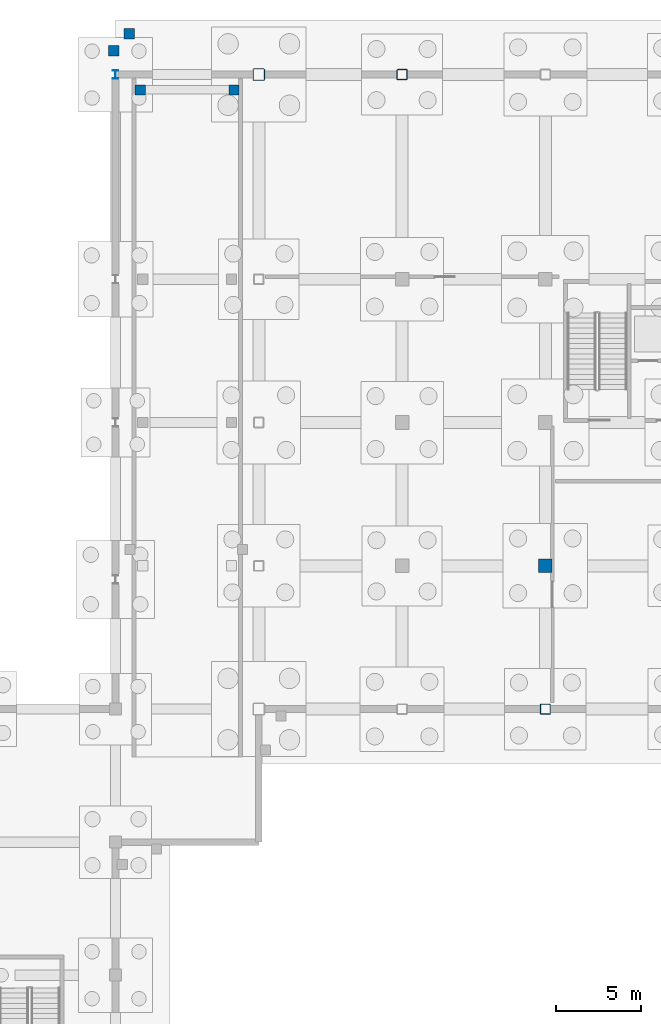
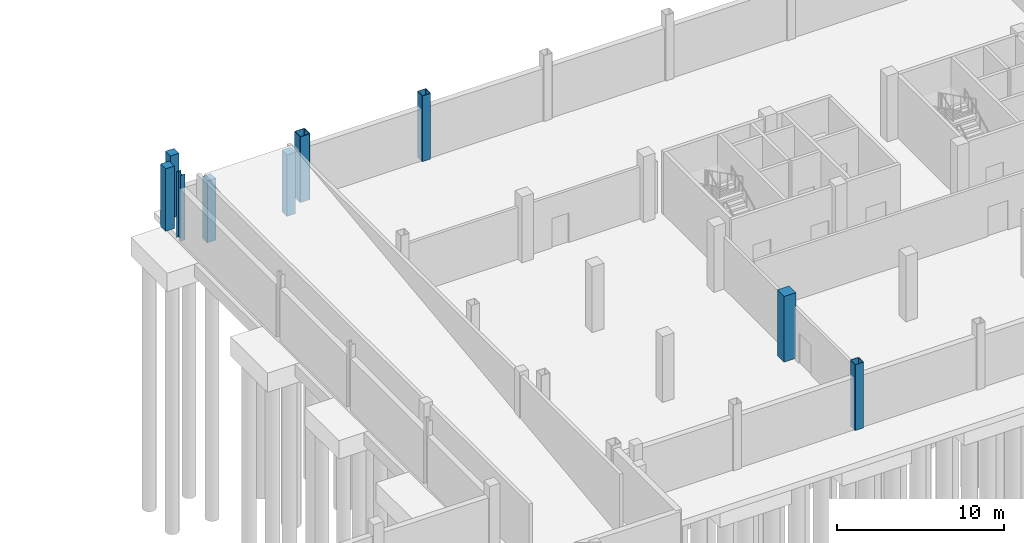
# One storey, part 27 of 44: 9 columns.
"""IFC4 building model written with IfcOpenShell, lengths in metres."""

import ifcopenshell
import ifcopenshell.guid

model = None  # the IFC model being written
_history = None  # IfcOwnerHistory: only IFC2X3 demands one
_inside = {}  # id of a spatial element -> (the spatial element, [elements in it])
_under = {}  # id of a project, library or spatial element -> (it, [spatial elements below it])
_declared = {}  # id of a project -> (the project, [libraries it declares])
_typed = {}  # id of a type object -> (the type object, [elements of that type])
_made_of = {}  # id of a material, layer set ... -> (it, [elements and type objects made of it])


def new_model(schema):
    """Start an empty IFC model of exactly this schema.

    Asked for "IFC4X3", IfcOpenShell would pick the latest addendum, in which some entities
    have other attributes; the version numbers below select the first issue.
    IFC2X3 requires an IfcOwnerHistory on every rooted entity: one is made here for all.
    """
    global model, _history
    if schema == "IFC4X3":
        model = ifcopenshell.file(schema_version=(4, 3, 0, 0))
    else:
        model = ifcopenshell.file(schema=schema)
    _inside.clear()
    _under.clear()
    _declared.clear()
    _typed.clear()
    _made_of.clear()
    _history = None
    if model.schema == "IFC2X3":
        org = make("IfcOrganization", Name="unknown")
        user = make(
            "IfcPersonAndOrganization",
            ThePerson=make("IfcPerson", FamilyName="unknown"),
            TheOrganization=org,
        )
        app = make(
            "IfcApplication",
            ApplicationDeveloper=org,
            Version="unknown",
            ApplicationFullName="unknown",
            ApplicationIdentifier="unknown",
        )
        _history = make(
            "IfcOwnerHistory",
            OwningUser=user,
            OwningApplication=app,
            ChangeAction="ADDED",
            CreationDate=0,
        )
    return model


def make(cls, **values):
    """One entity of the class cls with the attributes given. An attribute that is None is left unset."""
    return model.create_entity(
        cls, **{name: value for name, value in values.items() if value is not None}
    )


def rooted(cls, **values):
    """An entity with a GlobalId (a new one), such as an element, a storey or a relation."""
    return make(cls, GlobalId=ifcopenshell.guid.new(), OwnerHistory=_history, **values)


def si_unit(unit_type, name, prefix=None):
    """IfcSIUnit, for example si_unit("LENGTHUNIT", "METRE", prefix="MILLI")."""
    return make("IfcSIUnit", UnitType=unit_type, Prefix=prefix, Name=name)


def assignment(units):
    """IfcUnitAssignment: the units of a project."""
    return None if units is None else make("IfcUnitAssignment", Units=units)


def point(xyz):
    """IfcCartesianPoint."""
    return None if xyz is None else make("IfcCartesianPoint", Coordinates=xyz)


def direction(xyz):
    """IfcDirection."""
    return None if xyz is None else make("IfcDirection", DirectionRatios=xyz)


def frame(location, z_axis=None, x_axis=None):
    """IfcAxis2Placement3D, a coordinate frame: its origin and axes. An axis left out is left unset."""
    return make(
        "IfcAxis2Placement3D",
        Location=point(location),
        Axis=direction(z_axis),
        RefDirection=direction(x_axis),
    )


def frame_2d(location, x_axis=None):
    """IfcAxis2Placement2D, a coordinate frame in the plane: its origin and x axis."""
    return make(
        "IfcAxis2Placement2D", Location=point(location), RefDirection=direction(x_axis)
    )


def origin():
    """The frame at (0, 0, 0) with its axes left unset."""
    return frame((0.0, 0.0, 0.0))


def origin_2d():
    """The frame at (0, 0) in the plane with its x axis left unset."""
    return frame_2d((0.0, 0.0))


def place(relative_to, where):
    """IfcLocalPlacement: puts the frame where relative to a parent placement (None: the world)."""
    return make(
        "IfcLocalPlacement", PlacementRelTo=relative_to, RelativePlacement=where
    )


def context(
    kind, dimensions, precision=None, world=None, true_north=None, identifier=None
):
    """IfcGeometricRepresentationContext, for example the 3D "Model" context."""
    return make(
        "IfcGeometricRepresentationContext",
        ContextIdentifier=identifier,
        ContextType=kind,
        CoordinateSpaceDimension=dimensions,
        Precision=precision,
        WorldCoordinateSystem=world,
        TrueNorth=true_north,
    )


def subcontext(parent, identifier, kind, view, scale=None):
    """IfcGeometricRepresentationSubContext, for example "Body" below "Model"."""
    return make(
        "IfcGeometricRepresentationSubContext",
        ContextIdentifier=identifier,
        ContextType=kind,
        ParentContext=parent,
        TargetScale=scale,
        TargetView=view,
    )


def project(units=None, contexts=None):
    """IfcProject with its units and contexts."""
    return rooted(
        "IfcProject",
        Name="project",
        RepresentationContexts=contexts,
        UnitsInContext=assignment(units),
    )


def spatial(cls, under=None, at=None, **own):
    """A site, building, storey or space (cls), placed at a placement, below another one or the project."""
    s = rooted(cls, ObjectPlacement=at, **own)
    if under is not None:
        _under.setdefault(under.id(), (under, []))[1].append(s)
    return s


def profile(cls, at=None, kind="AREA", **sizes):
    """A parametric profile (cls). Its sizes go by their IFC names, for example OverallWidth=200.0."""
    return make(cls, ProfileType=kind, Position=at, **sizes)


def rectangle(**sizes):
    """IfcRectangleProfileDef."""
    return profile("IfcRectangleProfileDef", **sizes)


def hollow_rectangle(**sizes):
    """IfcRectangleHollowProfileDef."""
    return profile("IfcRectangleHollowProfileDef", **sizes)


def i_section(**sizes):
    """IfcIShapeProfileDef."""
    return profile("IfcIShapeProfileDef", **sizes)


def extrude(swept, where, along, depth):
    """IfcExtrudedAreaSolid: the profile swept, set in the frame where, extruded along a direction by depth."""
    return make(
        "IfcExtrudedAreaSolid",
        SweptArea=swept,
        Position=where,
        ExtrudedDirection=direction(along),
        Depth=depth,
    )


def shape(context_of_items, identifier, shape_type, items):
    """IfcShapeRepresentation: the items that make up one representation, for example the "Body"."""
    return make(
        "IfcShapeRepresentation",
        ContextOfItems=context_of_items,
        RepresentationIdentifier=identifier,
        RepresentationType=shape_type,
        Items=items,
    )


def material(Name=None, Category=None):
    """IfcMaterial."""
    return make("IfcMaterial", Name=Name, Category=Category)


def material_profile(
    of_material, cross_section, Name=None, Category=None, Priority=None
):
    """IfcMaterialProfile: a cross section and its material."""
    return make(
        "IfcMaterialProfile",
        Name=Name,
        Material=of_material,
        Profile=cross_section,
        Priority=Priority,
        Category=Category,
    )


def profile_set(profiles, Name=None, composite=None):
    """IfcMaterialProfileSet."""
    return make(
        "IfcMaterialProfileSet",
        Name=Name,
        MaterialProfiles=profiles,
        CompositeProfile=composite,
    )


def made_of(thing, what):
    """Note that an element or type object is made of a material, layer set ...; save() writes the relation."""
    if what is not None:
        _made_of.setdefault(what.id(), (what, []))[1].append(thing)
    return thing


def type_object(cls, material=None, **own):
    """A type object (cls), such as IfcWallType, which elements share."""
    return made_of(rooted(cls, **own), material)


def element(
    cls,
    number,
    at=None,
    inside=None,
    cuts=None,
    type_object=None,
    material=None,
    context=None,
    identifier="Body",
    shape_type=None,
    held_by="IfcProductDefinitionShape",
    body=None,
    shapes=None,
    **own,
):
    """One element of the class cls, such as IfcWall. Its Tag is "e" and its number.

    at: its placement. inside: the storey or other place that contains it. cuts: it is an
    opening in that element (IfcRelVoidsElement). A single representation is given by context,
    identifier, shape_type and body (its items); several are given by shapes. held_by: the class
    of the entity that holds the representations. save() writes the other relations.
    """
    e = rooted(cls, Tag="e%d" % number, ObjectPlacement=at, **own)
    if body is not None:
        shapes = [shape(context, identifier, shape_type, body)]
    if shapes is not None:
        e.Representation = make(held_by, Representations=shapes)
    if inside is not None:
        _inside.setdefault(inside.id(), (inside, []))[1].append(e)
    if cuts is not None:
        rooted(
            "IfcRelVoidsElement", RelatingBuildingElement=cuts, RelatedOpeningElement=e
        )
    if type_object is not None:
        _typed.setdefault(type_object.id(), (type_object, []))[1].append(e)
    return made_of(e, material)


def aggregate(whole, parts):
    """IfcRelAggregates: a whole, such as a stair, and the parts it consists of."""
    return rooted("IfcRelAggregates", RelatingObject=whole, RelatedObjects=parts)


def save(model, path):
    """Write the relations noted so far, then the file.

    IfcRelAggregates (storeys below a building ...), IfcRelContainedInSpatialStructure (elements
    in a storey), IfcRelDefinesByType, IfcRelAssociatesMaterial and IfcRelDeclares: one each for
    every whole, place, type object, material and project.
    """
    for whole, parts in _under.values():
        aggregate(whole, parts)
    for where, things in _inside.values():
        rooted(
            "IfcRelContainedInSpatialStructure",
            RelatedElements=things,
            RelatingStructure=where,
        )
    for kind, things in _typed.values():
        rooted("IfcRelDefinesByType", RelatedObjects=things, RelatingType=kind)
    for what, things in _made_of.values():
        rooted("IfcRelAssociatesMaterial", RelatedObjects=things, RelatingMaterial=what)
    for by, libraries in _declared.values():
        rooted("IfcRelDeclares", RelatingContext=by, RelatedDefinitions=libraries)
    model.write(path)


model = new_model("IFC4")

# Units and contexts
model_context = context("Model", 3, precision=1e-05, world=origin(), true_north=direction((0.0, 1.0)))
body_context = subcontext(model_context, "Body", "Model", "MODEL_VIEW")
ifc_project = project(units=[si_unit("LENGTHUNIT", "METRE"), si_unit("AREAUNIT", "SQUARE_METRE"), si_unit("VOLUMEUNIT", "CUBIC_METRE"), si_unit("PLANEANGLEUNIT", "RADIAN"), si_unit("MASSUNIT", "GRAM", prefix="KILO")], contexts=[model_context])

# Site, building, storey
site_placement = place(None, origin())
site = spatial("IfcSite", under=ifc_project, at=site_placement, CompositionType="ELEMENT")
building_placement = place(site_placement, origin())
building = spatial("IfcBuilding", under=site, at=building_placement, Name="Yukiwa Park Conservatory and Herbarium", CompositionType="ELEMENT")
storey_placement = place(building_placement, frame((0.0, 0.0, -4.800048828125)))
storey = spatial("IfcBuildingStorey", under=building, at=storey_placement, Name="B1", CompositionType="ELEMENT", Elevation=-4.800048828125)

# Columns
ifc_material_1 = material(Name="Concrete C40", Category="concrete")
ifc_material_profile_1 = material_profile(ifc_material_1, rectangle(XDim=0.60009765625, YDim=0.60009765625, at=origin_2d()), Name="RC 600x600")
ifc_profile_set_1 = profile_set([ifc_material_profile_1], Name="Concrete C40")
column_type_1 = type_object("IfcColumnType", Name="COL-B1-RC600", PredefinedType="COLUMN", material=ifc_profile_set_1)
for number, where, z_axis, x_axis, name in (
    (1, (107.89990234375, 116.60009765625, 0.0), (0.0, 0.0, 1.0), (1.0, 0.0, 0.0), "Exterior frost apron pier 1"),
    (2, (108.804931640625, 117.60009765625, 0.0), (0.0, 0.0, 1.0), (1.0, 0.0, 0.0), "Exterior frost apron pier 4"),
):
    element("IfcColumn", number, at=place(storey_placement, frame(where, z_axis=z_axis, x_axis=x_axis)), inside=storey, type_object=column_type_1, Name=name, PredefinedType="COLUMN", context=body_context, shape_type="SweptSolid", body=[
        extrude(rectangle(XDim=0.60009765625, YDim=0.60009765625, at=origin_2d()), origin(), (0.0, 0.0, 1.0), 4.56005859375),
    ])
for number, where, z_axis, x_axis, name in (
    (3, (109.449951171875, 114.300048828125, 0.0), (0.0, 0.0, 1.0), (1.0, 0.0, 0.0), "Service ramp R1 threshold pier W"),
    (4, (114.949951171875, 114.300048828125, 0.0), (0.0, 0.0, 1.0), (1.0, 0.0, 0.0), "Service ramp R1 threshold pier E"),
):
    element("IfcColumn", number, at=place(storey_placement, frame(where, z_axis=z_axis, x_axis=x_axis)), inside=storey, type_object=column_type_1, Name=name, PredefinedType="COLUMN", context=body_context, shape_type="SweptSolid", body=[
        extrude(rectangle(XDim=0.60009765625, YDim=0.60009765625, at=origin_2d()), origin(), (0.0, 0.0, 1.0), 4.5),
    ])
ifc_material_2 = material(Name="Concrete C50", Category="concrete")
ifc_material_profile_2 = material_profile(ifc_material_2, rectangle(XDim=0.800048828125, YDim=0.800048828125, at=origin_2d()), Name="RC 800x800")
ifc_profile_set_2 = profile_set([ifc_material_profile_2], Name="Concrete C50")
column_type_2 = type_object("IfcColumnType", Name="COL-B1-RC800", PredefinedType="COLUMN", material=ifc_profile_set_2)
column_1_placement = place(storey_placement, frame((133.199951171875, 86.39990234375, 0.0), z_axis=(0.0, 0.0, 1.0), x_axis=(1.0, 0.0, 0.0)))
element("IfcColumn", 5, at=column_1_placement, inside=storey, type_object=column_type_2, Name="B1 column V5-X1332-Y864", PredefinedType="COLUMN", context=body_context, shape_type="SweptSolid", body=[
    extrude(rectangle(XDim=0.800048828125, YDim=0.800048828125, at=origin_2d()), origin(), (0.0, 0.0, 1.0), 4.800048828125),
])
ifc_material_3 = material(Name="Steel Q355D", Category="steel")
ifc_material_profile_3 = material_profile(ifc_material_3, hollow_rectangle(XDim=0.60009765625, YDim=0.60009765625, WallThickness=0.02490234375, InnerFilletRadius=0.02490234375, OuterFilletRadius=0.050048828125, at=origin_2d()), Name="BOX 600x600x25")
ifc_profile_set_3 = profile_set([ifc_material_profile_3], Name="Steel Q355D")
column_type_3 = type_object("IfcColumnType", Name="COL-TW-BOX600", PredefinedType="COLUMN", material=ifc_profile_set_3)
for number, where, z_axis, x_axis, name in (
    (6, (124.800048828125, 115.199951171875, 0.0), (0.0, 0.0, 1.0), (1.0, 0.0, 0.0), "B1 column V5-X1248-Y1152"),
    (7, (133.199951171875, 78.0, 0.0), (0.0, 0.0, 1.0), (1.0, 0.0, 0.0), "B1 column V5-X1332-Y780"),
):
    element("IfcColumn", number, at=place(storey_placement, frame(where, z_axis=z_axis, x_axis=x_axis)), inside=storey, type_object=column_type_3, Name=name, PredefinedType="COLUMN", context=body_context, shape_type="SweptSolid", body=[
        extrude(hollow_rectangle(XDim=0.60009765625, YDim=0.60009765625, WallThickness=0.02490234375, InnerFilletRadius=0.02490234375, OuterFilletRadius=0.050048828125, at=origin_2d()), origin(), (0.0, 0.0, 1.0), 4.800048828125),
    ])
ifc_material_4 = material(Name="Steel Q355D", Category="steel")
ifc_material_profile_4 = material_profile(ifc_material_4, hollow_rectangle(XDim=0.699951171875, YDim=0.699951171875, WallThickness=0.031982421875, InnerFilletRadius=0.031982421875, OuterFilletRadius=0.06396484375, at=origin_2d()), Name="BOX 700x700x32")
ifc_profile_set_4 = profile_set([ifc_material_profile_4], Name="Steel Q355D")
column_type_4 = type_object("IfcColumnType", Name="COL-TW-BOX700", PredefinedType="COLUMN", material=ifc_profile_set_4)
column_2_placement = place(storey_placement, frame((116.39990234375, 115.199951171875, 0.0), z_axis=(0.0, 0.0, 1.0), x_axis=(1.0, 0.0, 0.0)))
element("IfcColumn", 8, at=column_2_placement, inside=storey, type_object=column_type_4, Name="B1 column V5-X1164-Y1152", PredefinedType="COLUMN", context=body_context, shape_type="SweptSolid", body=[
    extrude(hollow_rectangle(XDim=0.699951171875, YDim=0.699951171875, WallThickness=0.031982421875, InnerFilletRadius=0.031982421875, OuterFilletRadius=0.06396484375, at=origin_2d()), origin(), (0.0, 0.0, 1.0), 4.800048828125),
])
ifc_material_5 = material(Name="Steel Q355D", Category="steel")
ifc_material_profile_5 = material_profile(ifc_material_5, i_section(OverallWidth=0.300048828125, OverallDepth=0.488037109375, WebThickness=0.010986328125, FlangeThickness=0.01806640625, FilletRadius=0.02392578125, at=origin_2d()), Name="HM 488x300x11x18")
ifc_profile_set_5 = profile_set([ifc_material_profile_5], Name="Steel Q355D")
column_type_5 = type_object("IfcColumnType", Name="COL-VS-HM488", PredefinedType="COLUMN", material=ifc_profile_set_5)
column_3_placement = place(storey_placement, frame((108.0, 115.199951171875, 0.0), z_axis=(0.0, 0.0, 1.0), x_axis=(1.0, 0.0, 0.0)))
element("IfcColumn", 9, at=column_3_placement, inside=storey, type_object=column_type_5, Name="B1 column RMP-X1080-Y1152", PredefinedType="COLUMN", context=body_context, shape_type="SweptSolid", body=[
    extrude(i_section(OverallWidth=0.300048828125, OverallDepth=0.488037109375, WebThickness=0.010986328125, FlangeThickness=0.01806640625, FilletRadius=0.02392578125, at=origin_2d()), origin(), (0.0, 0.0, 1.0), 4.800048828125),
])

save(model, "model.ifc")
